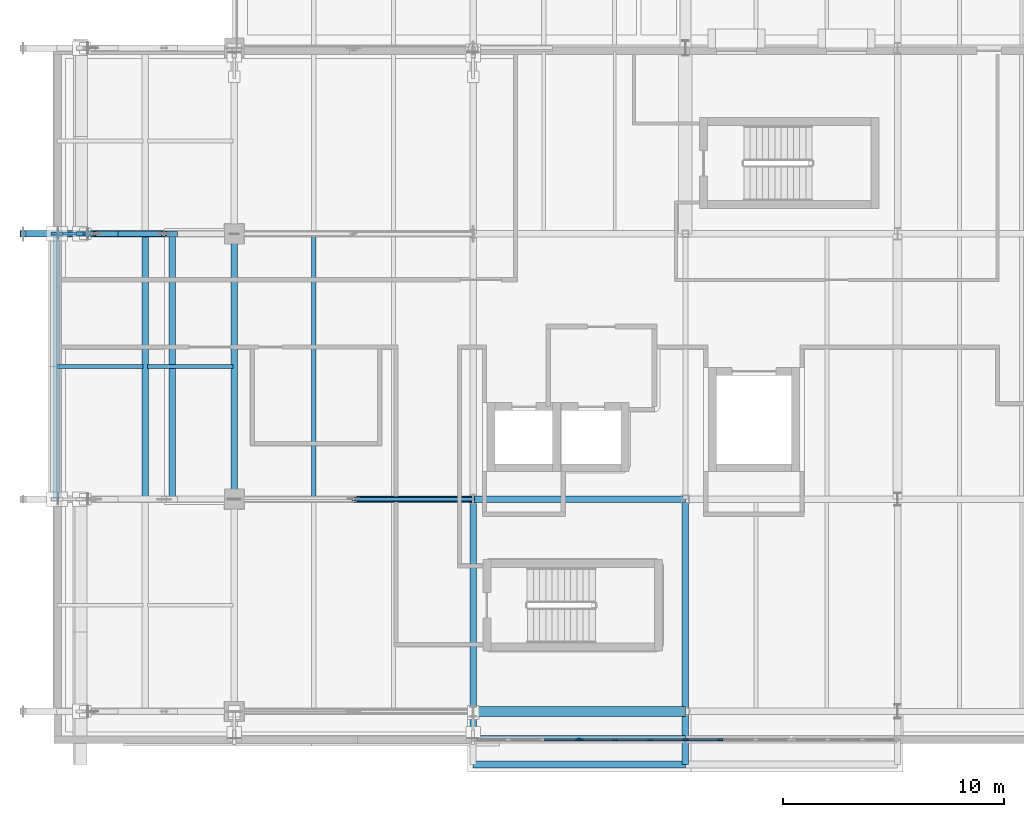
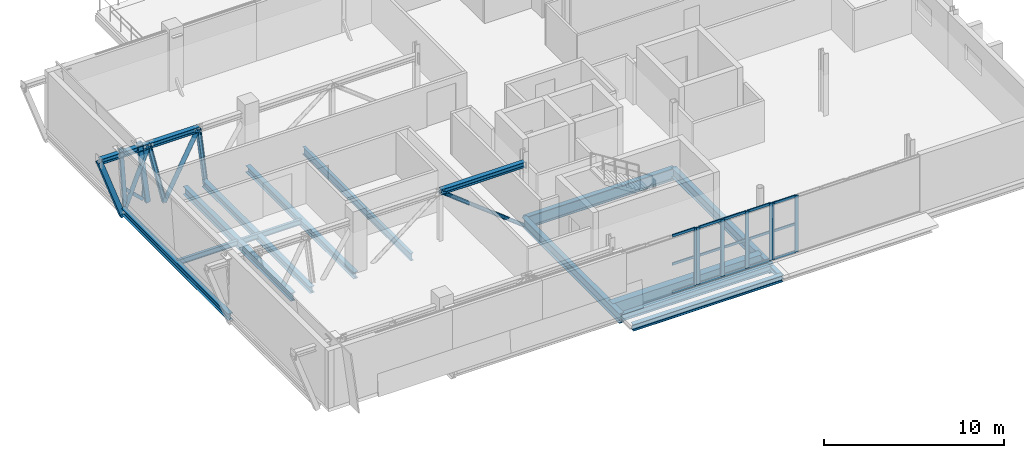
# One storey, part 14 of 57: 35 members, 14 beams, 3 elements without a shape of their own.
"""IFC4 building model written with IfcOpenShell, lengths in metres."""

from ifc_helpers import new_model, si_unit, direction, frame, origin, origin_2d, place, context, subcontext, project, spatial, rectangle, hollow_rectangle, hollow_circle, i_section, extrude, material, layer, layer_set, material_profile, profile_set, type_object, element, aggregate, save


model = new_model("IFC4")

# Units and contexts
model_context = context("Model", 3, precision=1e-05, world=origin(), true_north=direction((0.0, 1.0)))
body_context = subcontext(model_context, "Body", "Model", "MODEL_VIEW")
ifc_project = project(units=[si_unit("LENGTHUNIT", "METRE"), si_unit("AREAUNIT", "SQUARE_METRE"), si_unit("VOLUMEUNIT", "CUBIC_METRE"), si_unit("PLANEANGLEUNIT", "RADIAN"), si_unit("MASSUNIT", "GRAM", prefix="KILO")], contexts=[model_context])

# Site, building, storey
site_placement = place(None, origin())
site = spatial("IfcSite", under=ifc_project, at=site_placement, CompositionType="ELEMENT")
building_placement = place(site_placement, origin())
building = spatial("IfcBuilding", under=site, at=building_placement, Name="Zereglee Splitstone Museum", CompositionType="ELEMENT")
storey_placement = place(building_placement, frame((0.0, 0.0, 17.10009765625)))
storey = spatial("IfcBuildingStorey", under=building, at=storey_placement, Name="L03", CompositionType="ELEMENT", Elevation=17.10009765625)

# Members
ifc_material_1 = material(Name="Steel S355J2H", Category="steel")
ifc_material_profile_1 = material_profile(ifc_material_1, hollow_circle(Radius=0.122314453125, WallThickness=0.012451171875, at=origin_2d()), Name="CHS 244.5x12.5")
ifc_profile_set_1 = profile_set([ifc_material_profile_1], Name="Steel S355J2H")
member_type_1 = type_object("IfcMemberType", Name="TB-02", PredefinedType="BRACE", material=ifc_profile_set_1)
member_1_placement = place(storey_placement, frame((20.39990234375, 9.60009765625, -0.900146484375), z_axis=(-0.789350295703, 0.0, 0.613943084229), x_axis=(0.0, -1.0, 0.0)))
element("IfcMember", 1, at=member_1_placement, inside=storey, type_object=member_type_1, Name="Cantilever Truss CT-02 Web Brace L03-5", PredefinedType="BRACE", context=body_context, shape_type="SweptSolid", body=[
    extrude(hollow_circle(Radius=0.122314453125, WallThickness=0.012451171875, at=origin_2d()), origin(), (0.0, 0.0, 1.0), 6.841064453125),
])
ifc_material_profile_2 = material_profile(ifc_material_1, hollow_circle(Radius=0.136474609375, WallThickness=0.012451171875, at=origin_2d()), Name="CHS 273.0x12.5")
ifc_profile_set_2 = profile_set([ifc_material_profile_2], Name="Steel S355J2H")
member_type_2 = type_object("IfcMemberType", Name="TB-01", PredefinedType="BRACE", material=ifc_profile_set_2)
member_2_placement = place(storey_placement, frame((1.550048828125, 21.60009765625, -0.900146484375), z_axis=(0.372032488068, 0.0, 0.928219708809), x_axis=(0.0, 1.0, 0.0)))
element("IfcMember", 2, at=member_2_placement, inside=storey, type_object=member_type_2, Name="Cantilever Truss CT-03 Web Brace L03-1", PredefinedType="BRACE", context=body_context, shape_type="SweptSolid", body=[
    extrude(hollow_circle(Radius=0.136474609375, WallThickness=0.012451171875, at=origin_2d()), origin(), (0.0, 0.0, 1.0), 4.524658203125),
])
member_3_placement = place(storey_placement, frame((4.2333984375, 21.60009765625, -0.900146484375), z_axis=(0.461248800946, 0.0, 0.887270840063), x_axis=(0.0, 1.0, 0.0)))
element("IfcMember", 3, at=member_3_placement, inside=storey, type_object=member_type_2, Name="Cantilever Truss CT-03 Web Brace L03-2", PredefinedType="BRACE", context=body_context, shape_type="SweptSolid", body=[
    extrude(hollow_circle(Radius=0.136474609375, WallThickness=0.012451171875, at=origin_2d()), origin(), (0.0, 0.0, 1.0), 4.733642578125),
])

# Curtain wall, member
ifc_material_2 = material(Name="Triple-glazed low-E argon glass and bronze-anodised aluminium", Category="aluminium")
ifc_layer_1 = layer(ifc_material_2, 0.219970703125)
ifc_layer_set_1 = layer_set([ifc_layer_1], Name="Triple-glazed low-E argon glass and bronze-anodised aluminium")
curtain_wall_type_1 = type_object("IfcCurtainWallType", Name="CW-0476-390", PredefinedType="USERDEFINED", material=ifc_layer_set_1)
curtain_wall_1_placement = place(storey_placement, origin())
curtain_wall_1 = element("IfcCurtainWall", 4, at=curtain_wall_1_placement, inside=storey, type_object=curtain_wall_type_1, Name="Glazed Curtain Wall CW-0476-390 (L03)", ObjectType="GLAZED CURTAIN WALL", PredefinedType="USERDEFINED")
ifc_material_3 = material(Name="Thermally broken bronze-anodised aluminium", Category="aluminium")
ifc_material_profile_3 = material_profile(ifc_material_3, rectangle(XDim=0.074951171875, YDim=0.219970703125, at=origin_2d()), Name="CW MULL 75x220")
ifc_profile_set_3 = profile_set([ifc_material_profile_3], Name="Thermally broken bronze-anodised aluminium")
member_type_3 = type_object("IfcMemberType", Name="CWM-02", PredefinedType="MULLION", material=ifc_profile_set_3)
member_4_placement = place(storey_placement, frame((25.12255859375, -1.280029296875, 0.0), z_axis=(0.0, 0.0, 1.0), x_axis=(0.0, 1.0, 0.0)))
member_4 = element("IfcMember", 5, at=member_4_placement, type_object=member_type_3, Name="CW-0476-390 mullion 4", PredefinedType="MULLION", context=body_context, shape_type="SweptSolid", body=[
    extrude(rectangle(XDim=0.074951171875, YDim=0.219970703125, at=origin_2d()), origin(), (0.0, 0.0, 1.0), 3.89990234375),
])

# Curtain wall, members
ifc_layer_2 = layer(ifc_material_2, 0.219970703125)
ifc_layer_set_2 = layer_set([ifc_layer_2], Name="Triple-glazed low-E argon glass and bronze-anodised aluminium")
curtain_wall_type_2 = type_object("IfcCurtainWallType", Name="CW-0476-388", PredefinedType="USERDEFINED", material=ifc_layer_set_2)
curtain_wall_2_placement = place(storey_placement, origin())
curtain_wall_2 = element("IfcCurtainWall", 6, at=curtain_wall_2_placement, inside=storey, type_object=curtain_wall_type_2, Name="Glazed Curtain Wall CW-0476-388 (L03)", ObjectType="GLAZED CURTAIN WALL", PredefinedType="USERDEFINED")
member_5_placement = place(storey_placement, frame((25.277587890625, -1.280029296875, 0.0), z_axis=(0.0, 0.0, 1.0), x_axis=(0.0, 1.0, 0.0)))
member_5 = element("IfcMember", 7, at=member_5_placement, type_object=member_type_3, Name="CW-0476-388 mullion 1", PredefinedType="MULLION", context=body_context, shape_type="SweptSolid", body=[
    extrude(rectangle(XDim=0.074951171875, YDim=0.219970703125, at=origin_2d()), origin(), (0.0, 0.0, 1.0), 3.8798828125),
])
member_6_placement = place(storey_placement, frame((26.82666015625, -1.280029296875, 0.0), z_axis=(0.0, 0.0, 1.0), x_axis=(0.0, 1.0, 0.0)))
member_6 = element("IfcMember", 8, at=member_6_placement, type_object=member_type_3, Name="CW-0476-388 mullion 2", PredefinedType="MULLION", context=body_context, shape_type="SweptSolid", body=[
    extrude(rectangle(XDim=0.074951171875, YDim=0.219970703125, at=origin_2d()), origin(), (0.0, 0.0, 1.0), 3.8798828125),
])
member_7_placement = place(storey_placement, frame((28.413330078125, -1.280029296875, 0.0), z_axis=(0.0, 0.0, 1.0), x_axis=(0.0, 1.0, 0.0)))
member_7 = element("IfcMember", 9, at=member_7_placement, type_object=member_type_3, Name="CW-0476-388 mullion 3", PredefinedType="MULLION", context=body_context, shape_type="SweptSolid", body=[
    extrude(rectangle(XDim=0.074951171875, YDim=0.219970703125, at=origin_2d()), origin(), (0.0, 0.0, 1.0), 3.8798828125),
])
member_8_placement = place(storey_placement, frame((29.96240234375, -1.280029296875, 0.0), z_axis=(0.0, 0.0, 1.0), x_axis=(0.0, 1.0, 0.0)))
member_8 = element("IfcMember", 10, at=member_8_placement, type_object=member_type_3, Name="CW-0476-388 mullion 4", PredefinedType="MULLION", context=body_context, shape_type="SweptSolid", body=[
    extrude(rectangle(XDim=0.074951171875, YDim=0.219970703125, at=origin_2d()), origin(), (0.0, 0.0, 1.0), 3.8798828125),
])

ifc_layer_3 = layer(ifc_material_2, 0.219970703125)
ifc_layer_set_3 = layer_set([ifc_layer_3], Name="Triple-glazed low-E argon glass and bronze-anodised aluminium")
curtain_wall_type_3 = type_object("IfcCurtainWallType", Name="CW-0476-384", PredefinedType="USERDEFINED", material=ifc_layer_set_3)
curtain_wall_3_placement = place(storey_placement, origin())
curtain_wall_3 = element("IfcCurtainWall", 11, at=curtain_wall_3_placement, inside=storey, type_object=curtain_wall_type_3, Name="Glazed Curtain Wall CW-0476-384 (L03)", ObjectType="GLAZED CURTAIN WALL", PredefinedType="USERDEFINED")
member_9_placement = place(storey_placement, frame((30.03759765625, -1.280029296875, 0.0), z_axis=(0.0, 0.0, 1.0), x_axis=(0.0, 1.0, 0.0)))
member_9 = element("IfcMember", 12, at=member_9_placement, type_object=member_type_3, Name="CW-0476-384 mullion 1", PredefinedType="MULLION", context=body_context, shape_type="SweptSolid", body=[
    extrude(rectangle(XDim=0.074951171875, YDim=0.219970703125, at=origin_2d()), origin(), (0.0, 0.0, 1.0), 3.83984375),
])
member_10_placement = place(storey_placement, frame((31.586669921875, -1.280029296875, 0.0), z_axis=(0.0, 0.0, 1.0), x_axis=(0.0, 1.0, 0.0)))
member_10 = element("IfcMember", 13, at=member_10_placement, type_object=member_type_3, Name="CW-0476-384 mullion 2", PredefinedType="MULLION", context=body_context, shape_type="SweptSolid", body=[
    extrude(rectangle(XDim=0.074951171875, YDim=0.219970703125, at=origin_2d()), origin(), (0.0, 0.0, 1.0), 3.83984375),
])

# Member
ifc_material_profile_4 = material_profile(ifc_material_3, rectangle(XDim=0.074951171875, YDim=0.1650390625, at=origin_2d()), Name="CW TRAN 75x165")
ifc_profile_set_4 = profile_set([ifc_material_profile_4], Name="Thermally broken bronze-anodised aluminium")
member_type_4 = type_object("IfcMemberType", Name="CWT-02", PredefinedType="USERDEFINED", material=ifc_profile_set_4)
member_11_placement = place(storey_placement, frame((23.61083984375, -1.280029296875, 0.037353515625), z_axis=(1.0, 0.0, 0.0), x_axis=(0.0, 1.0, 0.0)))
member_11 = element("IfcMember", 14, at=member_11_placement, type_object=member_type_4, Name="CW-0476-390 transom 3.1", ObjectType="TRANSOM", PredefinedType="USERDEFINED", context=body_context, shape_type="SweptSolid", body=[
    extrude(rectangle(XDim=0.074951171875, YDim=0.1650390625, at=origin_2d()), origin(), (0.0, 0.0, 1.0), 1.47412109375),
])

member_12_placement = place(storey_placement, frame((23.61083984375, -1.280029296875, 1.949951171875), z_axis=(1.0, 0.0, 0.0), x_axis=(0.0, 1.0, 0.0)))
member_12 = element("IfcMember", 15, at=member_12_placement, type_object=member_type_4, Name="CW-0476-390 transom 3.2", ObjectType="TRANSOM", PredefinedType="USERDEFINED", context=body_context, shape_type="SweptSolid", body=[
    extrude(rectangle(XDim=0.074951171875, YDim=0.1650390625, at=origin_2d()), origin(), (0.0, 0.0, 1.0), 1.47412109375),
])

member_13_placement = place(storey_placement, frame((23.61083984375, -1.280029296875, 3.8623046875), z_axis=(1.0, 0.0, 0.0), x_axis=(0.0, 1.0, 0.0)))
member_13 = element("IfcMember", 16, at=member_13_placement, type_object=member_type_4, Name="CW-0476-390 transom 3.3", ObjectType="TRANSOM", PredefinedType="USERDEFINED", context=body_context, shape_type="SweptSolid", body=[
    extrude(rectangle(XDim=0.074951171875, YDim=0.1650390625, at=origin_2d()), origin(), (0.0, 0.0, 1.0), 1.47412109375),
])

aggregate(curtain_wall_1, [member_4, member_11, member_12, member_13])

member_14_placement = place(storey_placement, frame((25.31494140625, -1.280029296875, 0.037353515625), z_axis=(1.0, 0.0, 0.0), x_axis=(0.0, 1.0, 0.0)))
member_14 = element("IfcMember", 17, at=member_14_placement, type_object=member_type_4, Name="CW-0476-388 transom 1.1", ObjectType="TRANSOM", PredefinedType="USERDEFINED", context=body_context, shape_type="SweptSolid", body=[
    extrude(rectangle(XDim=0.074951171875, YDim=0.1650390625, at=origin_2d()), origin(), (0.0, 0.0, 1.0), 1.47412109375),
])

member_15_placement = place(storey_placement, frame((25.31494140625, -1.280029296875, 1.93994140625), z_axis=(1.0, 0.0, 0.0), x_axis=(0.0, 1.0, 0.0)))
member_15 = element("IfcMember", 18, at=member_15_placement, type_object=member_type_4, Name="CW-0476-388 transom 1.2", ObjectType="TRANSOM", PredefinedType="USERDEFINED", context=body_context, shape_type="SweptSolid", body=[
    extrude(rectangle(XDim=0.074951171875, YDim=0.1650390625, at=origin_2d()), origin(), (0.0, 0.0, 1.0), 1.47412109375),
])

member_16_placement = place(storey_placement, frame((25.31494140625, -1.280029296875, 3.84228515625), z_axis=(1.0, 0.0, 0.0), x_axis=(0.0, 1.0, 0.0)))
member_16 = element("IfcMember", 19, at=member_16_placement, type_object=member_type_4, Name="CW-0476-388 transom 1.3", ObjectType="TRANSOM", PredefinedType="USERDEFINED", context=body_context, shape_type="SweptSolid", body=[
    extrude(rectangle(XDim=0.074951171875, YDim=0.1650390625, at=origin_2d()), origin(), (0.0, 0.0, 1.0), 1.47412109375),
])

member_17_placement = place(storey_placement, frame((26.8642578125, -1.280029296875, 0.037353515625), z_axis=(1.0, 0.0, 0.0), x_axis=(0.0, 1.0, 0.0)))
member_17 = element("IfcMember", 20, at=member_17_placement, type_object=member_type_4, Name="CW-0476-388 transom 2.1", ObjectType="TRANSOM", PredefinedType="USERDEFINED", context=body_context, shape_type="SweptSolid", body=[
    extrude(rectangle(XDim=0.074951171875, YDim=0.1650390625, at=origin_2d()), origin(), (0.0, 0.0, 1.0), 1.511474609375),
])

member_18_placement = place(storey_placement, frame((26.8642578125, -1.280029296875, 1.93994140625), z_axis=(1.0, 0.0, 0.0), x_axis=(0.0, 1.0, 0.0)))
member_18 = element("IfcMember", 21, at=member_18_placement, type_object=member_type_4, Name="CW-0476-388 transom 2.2", ObjectType="TRANSOM", PredefinedType="USERDEFINED", context=body_context, shape_type="SweptSolid", body=[
    extrude(rectangle(XDim=0.074951171875, YDim=0.1650390625, at=origin_2d()), origin(), (0.0, 0.0, 1.0), 1.511474609375),
])

member_19_placement = place(storey_placement, frame((26.8642578125, -1.280029296875, 3.84228515625), z_axis=(1.0, 0.0, 0.0), x_axis=(0.0, 1.0, 0.0)))
member_19 = element("IfcMember", 22, at=member_19_placement, type_object=member_type_4, Name="CW-0476-388 transom 2.3", ObjectType="TRANSOM", PredefinedType="USERDEFINED", context=body_context, shape_type="SweptSolid", body=[
    extrude(rectangle(XDim=0.074951171875, YDim=0.1650390625, at=origin_2d()), origin(), (0.0, 0.0, 1.0), 1.511474609375),
])

member_20_placement = place(storey_placement, frame((28.450927734375, -1.280029296875, 0.037353515625), z_axis=(1.0, 0.0, 0.0), x_axis=(0.0, 1.0, 0.0)))
member_20 = element("IfcMember", 23, at=member_20_placement, type_object=member_type_4, Name="CW-0476-388 transom 3.1", ObjectType="TRANSOM", PredefinedType="USERDEFINED", context=body_context, shape_type="SweptSolid", body=[
    extrude(rectangle(XDim=0.074951171875, YDim=0.1650390625, at=origin_2d()), origin(), (0.0, 0.0, 1.0), 1.47412109375),
])

member_21_placement = place(storey_placement, frame((28.450927734375, -1.280029296875, 1.93994140625), z_axis=(1.0, 0.0, 0.0), x_axis=(0.0, 1.0, 0.0)))
member_21 = element("IfcMember", 24, at=member_21_placement, type_object=member_type_4, Name="CW-0476-388 transom 3.2", ObjectType="TRANSOM", PredefinedType="USERDEFINED", context=body_context, shape_type="SweptSolid", body=[
    extrude(rectangle(XDim=0.074951171875, YDim=0.1650390625, at=origin_2d()), origin(), (0.0, 0.0, 1.0), 1.47412109375),
])

member_22_placement = place(storey_placement, frame((28.450927734375, -1.280029296875, 3.84228515625), z_axis=(1.0, 0.0, 0.0), x_axis=(0.0, 1.0, 0.0)))
member_22 = element("IfcMember", 25, at=member_22_placement, type_object=member_type_4, Name="CW-0476-388 transom 3.3", ObjectType="TRANSOM", PredefinedType="USERDEFINED", context=body_context, shape_type="SweptSolid", body=[
    extrude(rectangle(XDim=0.074951171875, YDim=0.1650390625, at=origin_2d()), origin(), (0.0, 0.0, 1.0), 1.47412109375),
])

aggregate(curtain_wall_2, [member_5, member_6, member_7, member_8, member_14, member_15, member_16, member_17, member_18, member_19, member_20, member_21, member_22])

member_23_placement = place(storey_placement, frame((30.074951171875, -1.280029296875, 0.037353515625), z_axis=(1.0, 0.0, 0.0), x_axis=(0.0, 1.0, 0.0)))
member_23 = element("IfcMember", 26, at=member_23_placement, type_object=member_type_4, Name="CW-0476-384 transom 1.1", ObjectType="TRANSOM", PredefinedType="USERDEFINED", context=body_context, shape_type="SweptSolid", body=[
    extrude(rectangle(XDim=0.074951171875, YDim=0.1650390625, at=origin_2d()), origin(), (0.0, 0.0, 1.0), 1.47412109375),
])

member_24_placement = place(storey_placement, frame((30.074951171875, -1.280029296875, 1.919921875), z_axis=(1.0, 0.0, 0.0), x_axis=(0.0, 1.0, 0.0)))
member_24 = element("IfcMember", 27, at=member_24_placement, type_object=member_type_4, Name="CW-0476-384 transom 1.2", ObjectType="TRANSOM", PredefinedType="USERDEFINED", context=body_context, shape_type="SweptSolid", body=[
    extrude(rectangle(XDim=0.074951171875, YDim=0.1650390625, at=origin_2d()), origin(), (0.0, 0.0, 1.0), 1.47412109375),
])

member_25_placement = place(storey_placement, frame((30.074951171875, -1.280029296875, 3.802490234375), z_axis=(1.0, 0.0, 0.0), x_axis=(0.0, 1.0, 0.0)))
member_25 = element("IfcMember", 28, at=member_25_placement, type_object=member_type_4, Name="CW-0476-384 transom 1.3", ObjectType="TRANSOM", PredefinedType="USERDEFINED", context=body_context, shape_type="SweptSolid", body=[
    extrude(rectangle(XDim=0.074951171875, YDim=0.1650390625, at=origin_2d()), origin(), (0.0, 0.0, 1.0), 1.47412109375),
])

aggregate(curtain_wall_3, [member_9, member_10, member_23, member_24, member_25])

# Members
ifc_material_4 = material(Name="Steel S355J2", Category="steel")
ifc_material_profile_5 = material_profile(ifc_material_4, i_section(OverallWidth=0.300048828125, OverallDepth=0.360107421875, WebThickness=0.012451171875, FlangeThickness=0.0224609375, FilletRadius=0.027099609375, at=origin_2d()), Name="HE 360 B")
ifc_profile_set_5 = profile_set([ifc_material_profile_5], Name="Steel S355J2")
member_type_5 = type_object("IfcMemberType", Name="TC-06", PredefinedType="CHORD", material=ifc_profile_set_5)
member_26_placement = place(storey_placement, frame((15.0, 9.60009765625, 3.2998046875), z_axis=(1.0, 0.0, 0.0), x_axis=(0.0, 1.0, 0.0)))
element("IfcMember", 29, at=member_26_placement, inside=storey, type_object=member_type_5, Name="Cantilever Truss CT-02 Top Chord L03-5", PredefinedType="CHORD", context=body_context, shape_type="SweptSolid", body=[
    extrude(i_section(OverallWidth=0.300048828125, OverallDepth=0.360107421875, WebThickness=0.012451171875, FlangeThickness=0.0224609375, FilletRadius=0.027099609375, at=origin_2d()), origin(), (0.0, 0.0, 1.0), 5.39990234375),
])
for number, where, z_axis, x_axis, name in (
    (30, (0.050048828125, 21.60009765625, 3.2998046875), (1.0, 0.0, 0.0), (0.0, 1.0, 0.0), "Cantilever Truss CT-03 Top Chord L03-1"),
    (31, (3.2333984375, 21.60009765625, 3.2998046875), (1.0, 0.0, 0.0), (0.0, 1.0, 0.0), "Cantilever Truss CT-03 Top Chord L03-2"),
):
    element("IfcMember", number, at=place(storey_placement, frame(where, z_axis=z_axis, x_axis=x_axis)), inside=storey, type_object=member_type_5, Name=name, PredefinedType="CHORD", context=body_context, shape_type="SweptSolid", body=[
        extrude(i_section(OverallWidth=0.300048828125, OverallDepth=0.360107421875, WebThickness=0.012451171875, FlangeThickness=0.0224609375, FilletRadius=0.027099609375, at=origin_2d()), origin(), (0.0, 0.0, 1.0), 3.183349609375),
    ])

# Beams
ifc_material_profile_6 = material_profile(ifc_material_4, i_section(OverallWidth=0.300048828125, OverallDepth=0.550048828125, WebThickness=0.014892578125, FlangeThickness=0.029052734375, FilletRadius=0.027099609375, at=origin_2d()), Name="HE 550 B")
ifc_profile_set_6 = profile_set([ifc_material_profile_6], Name="Steel S355J2")
beam_type_1 = type_object("IfcBeamType", Name="BG-11", PredefinedType="BEAM", material=ifc_profile_set_6)
beam_1_placement = place(storey_placement, frame((5.574951171875, 9.60009765625, -0.55517578125), z_axis=(0.0, 1.0, 0.0), x_axis=(-1.0, 0.0, 0.0)))
element("IfcBeam", 32, at=beam_1_placement, inside=storey, type_object=beam_type_1, Name="Cantilever Transverse Girder L03 X=5.58", PredefinedType="BEAM", context=body_context, shape_type="SweptSolid", body=[
    extrude(i_section(OverallWidth=0.300048828125, OverallDepth=0.550048828125, WebThickness=0.014892578125, FlangeThickness=0.029052734375, FilletRadius=0.027099609375, at=origin_2d()), origin(), (0.0, 0.0, 1.0), 12.0),
])
ifc_material_profile_7 = material_profile(ifc_material_4, i_section(OverallWidth=0.300048828125, OverallDepth=0.64990234375, WebThickness=0.01611328125, FlangeThickness=0.031005859375, FilletRadius=0.027099609375, at=origin_2d()), Name="HE 650 B")
ifc_profile_set_7 = profile_set([ifc_material_profile_7], Name="Steel S355J2")
beam_type_2 = type_object("IfcBeamType", Name="BG-09", PredefinedType="BEAM", material=ifc_profile_set_7)
for number, where, z_axis, x_axis, name in (
    (33, (20.39990234375, -1.25, -0.60498046875), (0.0, 1.0, 0.0), (-1.0, 0.0, 0.0), "Primary Girder L03 4 (-1.2-9.6)"),
    (34, (30.0, -1.25, -0.60498046875), (0.0, 1.0, 0.0), (-1.0, 0.0, 0.0), "Primary Girder L03 5 (-1.2-9.6)"),
):
    element("IfcBeam", number, at=place(storey_placement, frame(where, z_axis=z_axis, x_axis=x_axis)), inside=storey, type_object=beam_type_2, Name=name, PredefinedType="BEAM", context=body_context, shape_type="SweptSolid", body=[
        extrude(i_section(OverallWidth=0.300048828125, OverallDepth=0.64990234375, WebThickness=0.01611328125, FlangeThickness=0.031005859375, FilletRadius=0.027099609375, at=origin_2d()), origin(), (0.0, 0.0, 1.0), 10.85009765625),
    ])
ifc_material_profile_8 = material_profile(ifc_material_4, i_section(OverallWidth=0.300048828125, OverallDepth=0.800048828125, WebThickness=0.017578125, FlangeThickness=0.032958984375, FilletRadius=0.030029296875, at=origin_2d()), Name="HE 800 B")
ifc_profile_set_8 = profile_set([ifc_material_profile_8], Name="Steel S355J2")
beam_type_3 = type_object("IfcBeamType", Name="BG-07", PredefinedType="BEAM", material=ifc_profile_set_8)
beam_2_placement = place(storey_placement, frame((20.39990234375, 9.60009765625, -0.68017578125), z_axis=(1.0, 0.0, 0.0), x_axis=(0.0, 1.0, 0.0)))
element("IfcBeam", 35, at=beam_2_placement, inside=storey, type_object=beam_type_3, Name="Primary Girder L03 B (20.4-30.0)", PredefinedType="BEAM", context=body_context, shape_type="SweptSolid", body=[
    extrude(i_section(OverallWidth=0.300048828125, OverallDepth=0.800048828125, WebThickness=0.017578125, FlangeThickness=0.032958984375, FilletRadius=0.030029296875, at=origin_2d()), origin(), (0.0, 0.0, 1.0), 9.60009765625),
])
ifc_material_profile_9 = material_profile(ifc_material_4, i_section(OverallWidth=0.169921875, OverallDepth=0.360107421875, WebThickness=0.008056640625, FlangeThickness=0.0126953125, FilletRadius=0.01806640625, at=origin_2d()), Name="IPE 360")
ifc_profile_set_9 = profile_set([ifc_material_profile_9], Name="Steel S355J2")
beam_type_4 = type_object("IfcBeamType", Name="BJ-04", PredefinedType="JOIST", material=ifc_profile_set_9)
beam_3_placement = place(storey_placement, frame((1.590087890625, 15.60009765625, -0.460205078125), z_axis=(1.0, 0.0, 0.0), x_axis=(0.0, 1.0, 0.0)))
element("IfcBeam", 36, at=beam_3_placement, inside=storey, type_object=beam_type_4, Name="Cantilever Floor Joist L03-1626", PredefinedType="JOIST", context=body_context, shape_type="SweptSolid", body=[
    extrude(i_section(OverallWidth=0.169921875, OverallDepth=0.360107421875, WebThickness=0.008056640625, FlangeThickness=0.0126953125, FilletRadius=0.01806640625, at=origin_2d()), origin(), (0.0, 0.0, 1.0), 3.885009765625),
])
beam_4_placement = place(storey_placement, frame((5.675048828125, 15.60009765625, -0.460205078125), z_axis=(1.0, 0.0, 0.0), x_axis=(0.0, 1.0, 0.0)))
element("IfcBeam", 37, at=beam_4_placement, inside=storey, type_object=beam_type_4, Name="Cantilever Floor Joist L03-1627", PredefinedType="JOIST", context=body_context, shape_type="SweptSolid", body=[
    extrude(i_section(OverallWidth=0.169921875, OverallDepth=0.360107421875, WebThickness=0.008056640625, FlangeThickness=0.0126953125, FilletRadius=0.01806640625, at=origin_2d()), origin(), (0.0, 0.0, 1.0), 3.875),
])
ifc_material_profile_10 = material_profile(ifc_material_4, i_section(OverallWidth=0.199951171875, OverallDepth=0.5, WebThickness=0.01025390625, FlangeThickness=0.01611328125, FilletRadius=0.02099609375, at=origin_2d()), Name="IPE 500")
ifc_profile_set_10 = profile_set([ifc_material_profile_10], Name="Steel S355J2")
beam_type_5 = type_object("IfcBeamType", Name="BJ-01", PredefinedType="JOIST", material=ifc_profile_set_10)
beam_5_placement = place(storey_placement, frame((13.199951171875, 9.60009765625, -0.530029296875), z_axis=(0.0, 1.0, 0.0), x_axis=(-1.0, 0.0, 0.0)))
element("IfcBeam", 38, at=beam_5_placement, inside=storey, type_object=beam_type_5, Name="Secondary Floor Joist L03-1315", PredefinedType="JOIST", context=body_context, shape_type="SweptSolid", body=[
    extrude(i_section(OverallWidth=0.199951171875, OverallDepth=0.5, WebThickness=0.01025390625, FlangeThickness=0.01611328125, FilletRadius=0.02099609375, at=origin_2d()), origin(), (0.0, 0.0, 1.0), 12.0),
])

# Members
ifc_material_profile_11 = material_profile(ifc_material_4, i_section(OverallWidth=0.239990234375, OverallDepth=0.239990234375, WebThickness=0.010009765625, FlangeThickness=0.01708984375, FilletRadius=0.02099609375, at=origin_2d()), Name="HE 240 B")
ifc_profile_set_11 = profile_set([ifc_material_profile_11], Name="Steel S355J2")
member_type_6 = type_object("IfcMemberType", Name="TP-02", PredefinedType="POST", material=ifc_profile_set_11)
member_27_placement = place(storey_placement, frame((4.2333984375, 21.60009765625, -0.900146484375), z_axis=(-0.231623075633, 0.0, 0.972805607937), x_axis=(0.0, -1.0, 0.0)))
element("IfcMember", 39, at=member_27_placement, inside=storey, type_object=member_type_6, Name="Cantilever Truss CT-03 Post L03-2", PredefinedType="POST", context=body_context, shape_type="SweptSolid", body=[
    extrude(i_section(OverallWidth=0.239990234375, OverallDepth=0.239990234375, WebThickness=0.010009765625, FlangeThickness=0.01708984375, FilletRadius=0.02099609375, at=origin_2d()), origin(), (0.0, 0.0, 1.0), 4.3173828125),
])
member_28_placement = place(storey_placement, frame((6.916748046875, 21.60009765625, -0.900146484375), z_axis=(-0.118214244908, 0.0, 0.99298811287), x_axis=(0.0, -1.0, 0.0)))
element("IfcMember", 40, at=member_28_placement, inside=storey, type_object=member_type_6, Name="Cantilever Truss CT-03 Post L03-3", PredefinedType="POST", context=body_context, shape_type="SweptSolid", body=[
    extrude(i_section(OverallWidth=0.239990234375, OverallDepth=0.239990234375, WebThickness=0.010009765625, FlangeThickness=0.01708984375, FilletRadius=0.02099609375, at=origin_2d()), origin(), (0.0, 0.0, 1.0), 4.2294921875),
])
ifc_material_profile_12 = material_profile(ifc_material_1, hollow_rectangle(XDim=0.300048828125, YDim=0.300048828125, WallThickness=0.01611328125, at=origin_2d()), Name="SHS 300x300x16")
ifc_profile_set_12 = profile_set([ifc_material_profile_12], Name="Steel S355J2H")
member_type_7 = type_object("IfcMemberType", Name="TP-01", PredefinedType="POST", material=ifc_profile_set_12)
member_29_placement = place(storey_placement, frame((1.550048828125, 21.60009765625, -0.900146484375), z_axis=(-0.336339864867, 0.0, 0.941740673063), x_axis=(0.0, -1.0, 0.0)))
element("IfcMember", 41, at=member_29_placement, inside=storey, type_object=member_type_7, Name="Cantilever Truss CT-03 Post L03-1", PredefinedType="POST", context=body_context, shape_type="SweptSolid", body=[
    extrude(hollow_rectangle(XDim=0.300048828125, YDim=0.300048828125, WallThickness=0.01611328125, at=origin_2d()), origin(), (0.0, 0.0, 1.0), 4.459716796875),
])

# Beams
ifc_material_profile_13 = material_profile(ifc_material_4, i_section(OverallWidth=0.280029296875, OverallDepth=0.280029296875, WebThickness=0.010498046875, FlangeThickness=0.01806640625, FilletRadius=0.02392578125, at=origin_2d()), Name="HE 280 B")
ifc_profile_set_13 = profile_set([ifc_material_profile_13], Name="Steel S355J2")
beam_type_6 = type_object("IfcBeamType", Name="SP-03", PredefinedType="SPANDREL", material=ifc_profile_set_13)
beam_6_placement = place(storey_placement, frame((30.0, -2.39990234375, -0.505126953125), z_axis=(0.0, 1.0, 0.0), x_axis=(-1.0, 0.0, 0.0)))
element("IfcBeam", 42, at=beam_6_placement, inside=storey, type_object=beam_type_6, Name="Pishtaq Return Tie Beam PSQ-SV1-1 (30.0)", PredefinedType="SPANDREL", context=body_context, shape_type="SweptSolid", body=[
    extrude(i_section(OverallWidth=0.280029296875, OverallDepth=0.280029296875, WebThickness=0.010498046875, FlangeThickness=0.01806640625, FilletRadius=0.02392578125, at=origin_2d()), origin(), (0.0, 0.0, 1.0), 1.14990234375),
])
ifc_material_profile_14 = material_profile(ifc_material_4, i_section(OverallWidth=0.300048828125, OverallDepth=0.449951171875, WebThickness=0.013916015625, FlangeThickness=0.02587890625, FilletRadius=0.027099609375, at=origin_2d()), Name="HE 450 B")
ifc_profile_set_14 = profile_set([ifc_material_profile_14], Name="Steel S355J2")
beam_type_7 = type_object("IfcBeamType", Name="SP-02", PredefinedType="SPANDREL", material=ifc_profile_set_14)
beam_7_placement = place(storey_placement, frame((9.60009765625, 9.60009765625, -0.505126953125), z_axis=(0.0, 1.0, 0.0), x_axis=(-1.0, 0.0, 0.0)))
element("IfcBeam", 43, at=beam_7_placement, inside=storey, type_object=beam_type_7, Name="Primary Girder L03 2 (9.6-21.6)", PredefinedType="SPANDREL", context=body_context, shape_type="SweptSolid", body=[
    extrude(i_section(OverallWidth=0.300048828125, OverallDepth=0.449951171875, WebThickness=0.013916015625, FlangeThickness=0.02587890625, FilletRadius=0.027099609375, at=origin_2d()), origin(), (0.0, 0.0, 1.0), 12.0),
])
beam_8_placement = place(storey_placement, frame((20.39990234375, -1.25, -0.505126953125), z_axis=(1.0, 0.0, 0.0), x_axis=(0.0, 1.0, 0.0)))
element("IfcBeam", 44, at=beam_8_placement, inside=storey, type_object=beam_type_7, Name="Hovering Soffit Spandrel L03 (20.4-30.0)", PredefinedType="SPANDREL", context=body_context, shape_type="SweptSolid", body=[
    extrude(i_section(OverallWidth=0.300048828125, OverallDepth=0.449951171875, WebThickness=0.013916015625, FlangeThickness=0.02587890625, FilletRadius=0.027099609375, at=origin_2d()), origin(), (0.0, 0.0, 1.0), 9.60009765625),
])
for number, where, z_axis, x_axis, name in (
    (45, (1.550048828125, 9.60009765625, -0.505126953125), (0.0, 1.0, 0.0), (-1.0, 0.0, 0.0), "Cantilever Transverse Girder L03 X=1.55"),
    (46, (6.800048828125, 9.60009765625, -0.505126953125), (0.0, 1.0, 0.0), (-1.0, 0.0, 0.0), "Mughal Pishtaq Cornice Header Beam PSQ-WEST-1"),
):
    element("IfcBeam", number, at=place(storey_placement, frame(where, z_axis=z_axis, x_axis=x_axis)), inside=storey, type_object=beam_type_7, Name=name, PredefinedType="SPANDREL", context=body_context, shape_type="SweptSolid", body=[
        extrude(i_section(OverallWidth=0.300048828125, OverallDepth=0.449951171875, WebThickness=0.013916015625, FlangeThickness=0.02587890625, FilletRadius=0.027099609375, at=origin_2d()), origin(), (0.0, 0.0, 1.0), 12.0),
    ])
beam_9_placement = place(storey_placement, frame((20.39990234375, -2.39990234375, -0.505126953125), z_axis=(1.0, 0.0, 0.0), x_axis=(0.0, 1.0, 0.0)))
element("IfcBeam", 47, at=beam_9_placement, inside=storey, type_object=beam_type_7, Name="Mughal Pishtaq Cornice Header Beam PSQ-SV1-1", PredefinedType="SPANDREL", context=body_context, shape_type="SweptSolid", body=[
    extrude(i_section(OverallWidth=0.300048828125, OverallDepth=0.449951171875, WebThickness=0.013916015625, FlangeThickness=0.02587890625, FilletRadius=0.027099609375, at=origin_2d()), origin(), (0.0, 0.0, 1.0), 9.60009765625),
])
ifc_material_5 = material(Name="Concrete C40/50", Category="concrete")
ifc_material_profile_15 = material_profile(ifc_material_5, rectangle(XDim=0.449951171875, YDim=0.75, at=origin_2d()), Name="RC 450x750")
ifc_profile_set_15 = profile_set([ifc_material_profile_15], Name="Concrete C40/50")
beam_type_8 = type_object("IfcBeamType", Name="SP-01", PredefinedType="SPANDREL", material=ifc_profile_set_15)
beam_10_placement = place(storey_placement, frame((20.39990234375, 0.0, -0.655029296875), z_axis=(1.0, 0.0, 0.0), x_axis=(0.0, 1.0, 0.0)))
element("IfcBeam", 48, at=beam_10_placement, inside=storey, type_object=beam_type_8, Name="Primary Girder L03 A (20.4-30.0)", PredefinedType="SPANDREL", context=body_context, shape_type="SweptSolid", body=[
    extrude(rectangle(XDim=0.449951171875, YDim=0.75, at=origin_2d()), origin(), (0.0, 0.0, 1.0), 9.60009765625),
])

# Members
ifc_material_profile_16 = material_profile(ifc_material_1, hollow_rectangle(XDim=0.14990234375, YDim=0.25, WallThickness=0.010009765625, at=origin_2d()), Name="RHS 250x150x10")
ifc_profile_set_16 = profile_set([ifc_material_profile_16], Name="Steel S355J2H")
member_type_8 = type_object("IfcMemberType", Name="FS-R2", PredefinedType="STRUT", material=ifc_profile_set_16)
member_30_placement = place(storey_placement, frame((1.7265625, 21.60009765625, -0.530029296875), z_axis=(-0.067706583121, 0.0, 0.997705276423), x_axis=(0.0, -1.0, 0.0)))
element("IfcMember", 49, at=member_30_placement, inside=storey, type_object=member_type_8, Name="Split-Rock Continuous Facet Strut FH-V1W-M L03-02", PredefinedType="STRUT", context=body_context, shape_type="SweptSolid", body=[
    extrude(hollow_rectangle(XDim=0.14990234375, YDim=0.25, WallThickness=0.010009765625, at=origin_2d()), origin(), (0.0, 0.0, 1.0), 4.229736328125),
])
ifc_material_profile_17 = material_profile(ifc_material_1, hollow_rectangle(XDim=0.199951171875, YDim=0.300048828125, WallThickness=0.012451171875, at=origin_2d()), Name="RHS 300x200x12.5")
ifc_profile_set_17 = profile_set([ifc_material_profile_17], Name="Steel S355J2H")
member_type_9 = type_object("IfcMemberType", Name="FS-R1", PredefinedType="STRUT", material=ifc_profile_set_17)
member_31_placement = place(storey_placement, frame((3.156982421875, 21.60009765625, -0.530029296875), z_axis=(-0.128348172023, 0.0, 0.991729170055), x_axis=(0.0, -1.0, 0.0)))
element("IfcMember", 50, at=member_31_placement, inside=storey, type_object=member_type_9, Name="Split-Rock Continuous Facet Strut FH-V1W-N L03-01", PredefinedType="STRUT", context=body_context, shape_type="SweptSolid", body=[
    extrude(hollow_rectangle(XDim=0.199951171875, YDim=0.300048828125, WallThickness=0.012451171875, at=origin_2d()), origin(), (0.0, 0.0, 1.0), 4.255126953125),
])
ifc_material_profile_18 = material_profile(ifc_material_1, hollow_rectangle(XDim=0.10009765625, YDim=0.179931640625, WallThickness=0.008056640625, at=origin_2d()), Name="RHS 180x100x8")
ifc_profile_set_18 = profile_set([ifc_material_profile_18], Name="Steel S355J2H")
member_type_10 = type_object("IfcMemberType", Name="FS-T2", PredefinedType="STRUT", material=ifc_profile_set_18)
member_32_placement = place(storey_placement, frame((2.85009765625, 21.60009765625, -0.239990234375), z_axis=(0.102177623871, 0.0, 0.994766170102), x_axis=(0.0, 1.0, 0.0)))
element("IfcMember", 51, at=member_32_placement, inside=storey, type_object=member_type_10, Name="Facet Tie-Back Strut FH-V1W-N L03-01", PredefinedType="STRUT", context=body_context, shape_type="SweptSolid", body=[
    extrude(hollow_rectangle(XDim=0.10009765625, YDim=0.179931640625, WallThickness=0.008056640625, at=origin_2d()), origin(), (0.0, 0.0, 1.0), 1.166015625),
])
ifc_material_profile_19 = material_profile(ifc_material_1, hollow_rectangle(XDim=0.1201171875, YDim=0.199951171875, WallThickness=0.008056640625, at=origin_2d()), Name="RHS 200x120x8")
ifc_profile_set_19 = profile_set([ifc_material_profile_19], Name="Steel S355J2H")
member_type_11 = type_object("IfcMemberType", Name="FS-T1", PredefinedType="STRUT", material=ifc_profile_set_19)
member_33_placement = place(storey_placement, frame((2.85009765625, 21.60009765625, -0.239990234375), z_axis=(-0.72527072511, 0.0, 0.68846377922), x_axis=(0.0, -1.0, 0.0)))
element("IfcMember", 52, at=member_33_placement, inside=storey, type_object=member_type_11, Name="Facet Tie-Back Strut FH-V1W-M L03-02", PredefinedType="STRUT", context=body_context, shape_type="SweptSolid", body=[
    extrude(hollow_rectangle(XDim=0.1201171875, YDim=0.199951171875, WallThickness=0.008056640625, at=origin_2d()), origin(), (0.0, 0.0, 1.0), 1.684814453125),
])

save(model, "model.ifc")
